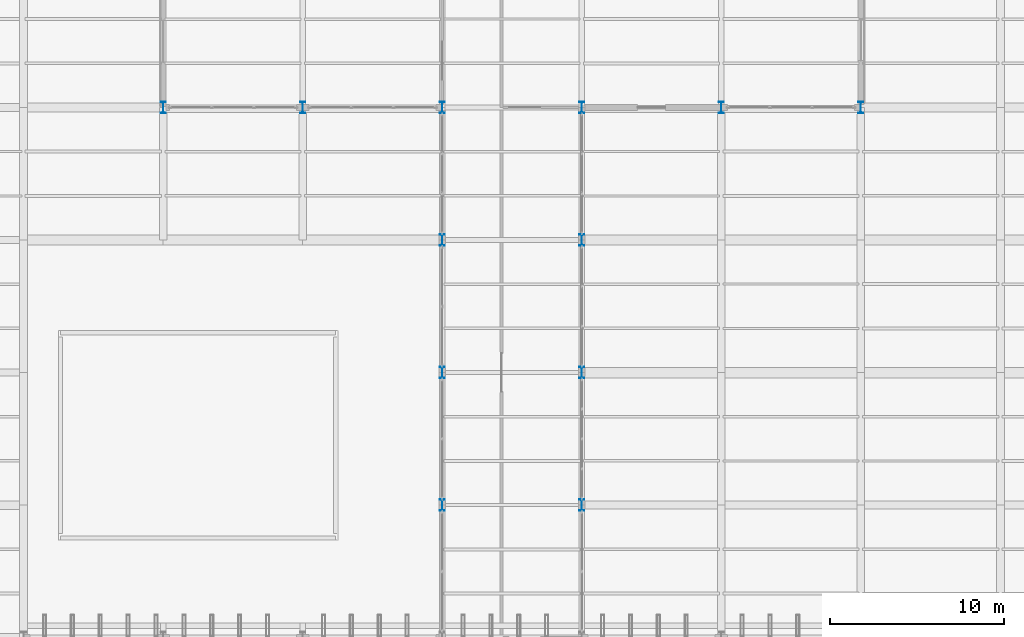
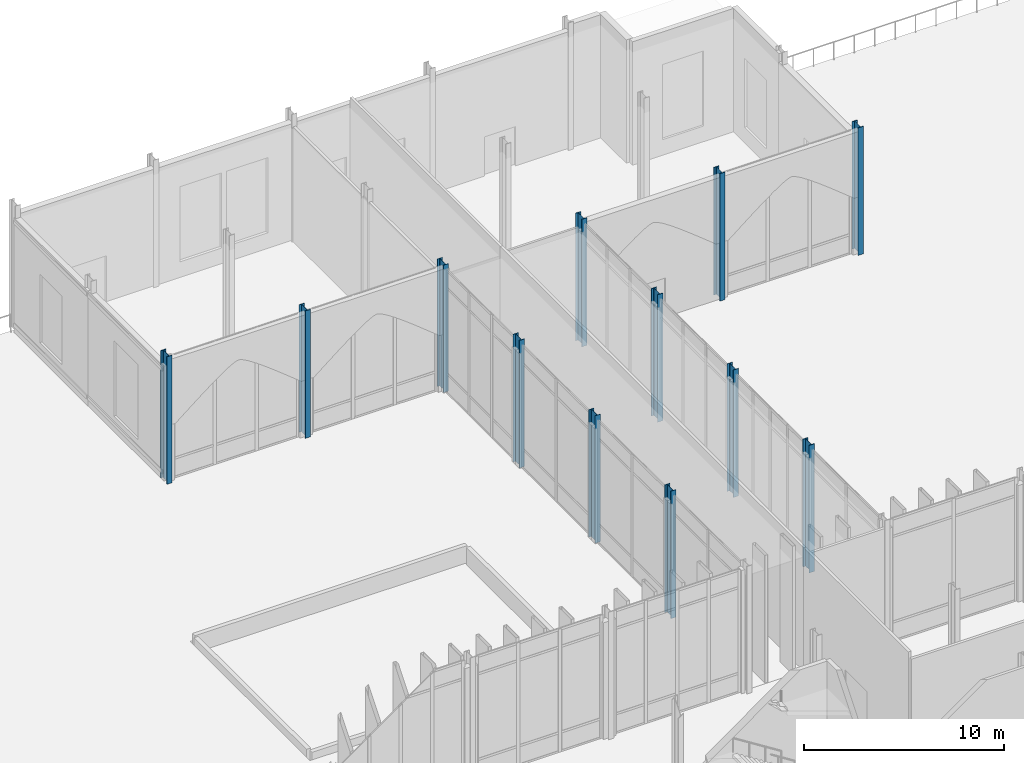
# One storey, part 13 of 176: 12 columns.
"""IFC4 building model written with IfcOpenShell, lengths in metres."""

from ifc_helpers import new_model, si_unit, direction, frame, origin, origin_2d, place, context, subcontext, project, spatial, i_section, extrude, material, material_profile, profile_set, type_object, element, save


model = new_model("IFC4")

# Units and contexts
model_context = context("Model", 3, precision=1e-05, world=origin(), true_north=direction((0.0, 1.0)))
body_context = subcontext(model_context, "Body", "Model", "MODEL_VIEW")
ifc_project = project(units=[si_unit("LENGTHUNIT", "METRE"), si_unit("AREAUNIT", "SQUARE_METRE"), si_unit("VOLUMEUNIT", "CUBIC_METRE"), si_unit("PLANEANGLEUNIT", "RADIAN"), si_unit("MASSUNIT", "GRAM", prefix="KILO")], contexts=[model_context])

# Site, building, storey
site_placement = place(None, origin())
site = spatial("IfcSite", under=ifc_project, at=site_placement, CompositionType="ELEMENT")
building_placement = place(site_placement, origin())
building = spatial("IfcBuilding", under=site, at=building_placement, Name="Vekula Escarpment Museum", CompositionType="ELEMENT")
storey_placement = place(building_placement, origin())
storey = spatial("IfcBuildingStorey", under=building, at=storey_placement, Name="L01", CompositionType="ELEMENT", Elevation=0.0)

# Columns
ifc_material = material(Name="Steel S355", Category="steel")
ifc_material_profile = material_profile(ifc_material, i_section(OverallWidth=0.300048828125, OverallDepth=0.64990234375, WebThickness=0.01611328125, FlangeThickness=0.031005859375, FilletRadius=0.027099609375, at=origin_2d()), Name="HEB 650")
ifc_profile_set = profile_set([ifc_material_profile], Name="Steel S355")
column_type = type_object("IfcColumnType", Name="COL-S-HEB650", PredefinedType="COLUMN", material=ifc_profile_set)
for number, where, z_axis, x_axis, name in (
    (1, (78.0, 120.800048828125, 0.0), (0.0, 0.0, 1.0), (1.0, 0.0, 0.0), "Column L01 (78.0,120.8)"),
    (2, (86.0, 120.800048828125, 0.0), (0.0, 0.0, 1.0), (1.0, 0.0, 0.0), "Column L01 (86.0,120.8)"),
    (3, (94.0, 98.0, 0.0), (0.0, 0.0, 1.0), (1.0, 0.0, 0.0), "Column L01 (94.0,98.0)"),
    (4, (94.0, 105.60009765625, 0.0), (0.0, 0.0, 1.0), (1.0, 0.0, 0.0), "Column L01 (94.0,105.6)"),
    (5, (94.0, 113.199951171875, 0.0), (0.0, 0.0, 1.0), (1.0, 0.0, 0.0), "Column L01 (94.0,113.2)"),
    (6, (94.0, 120.800048828125, 0.0), (0.0, 0.0, 1.0), (1.0, 0.0, 0.0), "Column L01 (94.0,120.8)"),
    (7, (102.0, 98.0, 0.0), (0.0, 0.0, 1.0), (1.0, 0.0, 0.0), "Column L01 (102.0,98.0)"),
    (8, (102.0, 105.60009765625, 0.0), (0.0, 0.0, 1.0), (1.0, 0.0, 0.0), "Column L01 (102.0,105.6)"),
    (9, (102.0, 113.199951171875, 0.0), (0.0, 0.0, 1.0), (1.0, 0.0, 0.0), "Column L01 (102.0,113.2)"),
    (10, (102.0, 120.800048828125, 0.0), (0.0, 0.0, 1.0), (1.0, 0.0, 0.0), "Column L01 (102.0,120.8)"),
    (11, (110.0, 120.800048828125, 0.0), (0.0, 0.0, 1.0), (1.0, 0.0, 0.0), "Column L01 (110.0,120.8)"),
    (12, (118.0, 120.800048828125, 0.0), (0.0, 0.0, 1.0), (1.0, 0.0, 0.0), "Column L01 (118.0,120.8)"),
):
    element("IfcColumn", number, at=place(storey_placement, frame(where, z_axis=z_axis, x_axis=x_axis)), inside=storey, type_object=column_type, Name=name, PredefinedType="COLUMN", context=body_context, shape_type="SweptSolid", body=[
        extrude(i_section(OverallWidth=0.300048828125, OverallDepth=0.64990234375, WebThickness=0.01611328125, FlangeThickness=0.031005859375, FilletRadius=0.027099609375, at=origin_2d()), origin(), (0.0, 0.0, 1.0), 7.800048828125),
    ])

save(model, "model.ifc")
